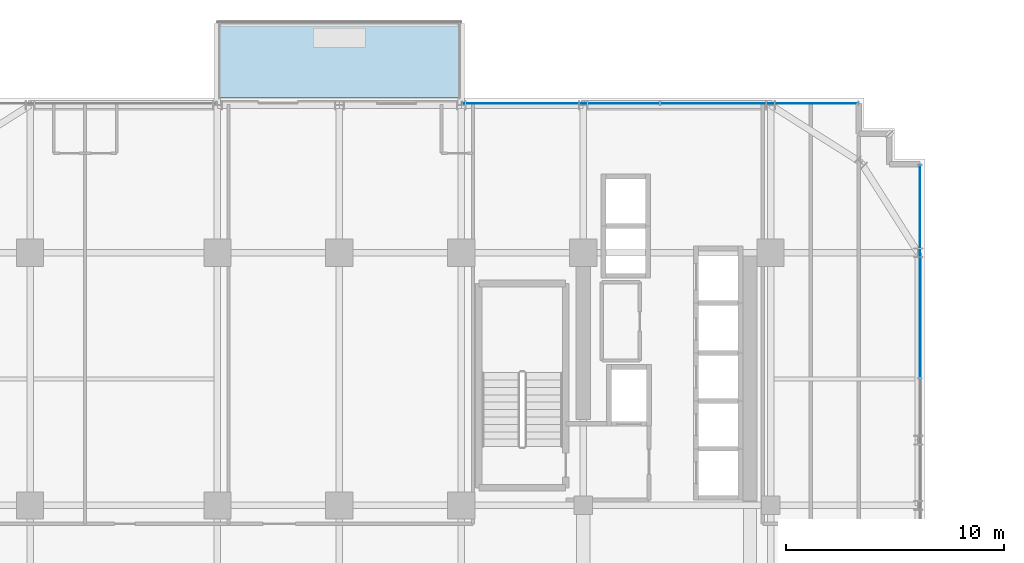
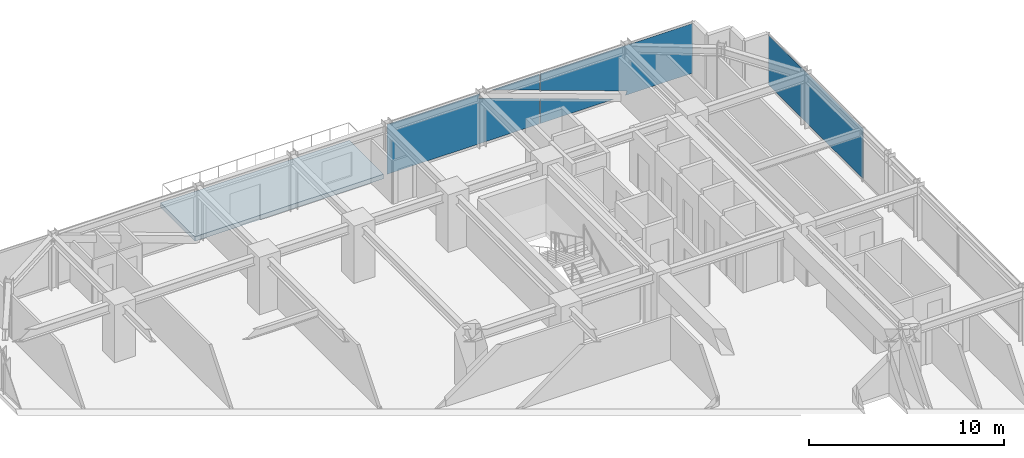
# One storey, part 31 of 41: 3 plates, 1 slab, 2 elements without a shape of their own.
"""IFC4 building model written with IfcOpenShell, lengths in metres."""

from ifc_helpers import new_model, si_unit, direction, frame, origin, origin_2d, place, context, subcontext, project, spatial, polyline, rectangle, outline, extrude, source, transform, mapped, material, layer, layer_set, type_object, element, aggregate, save


model = new_model("IFC4")

# Units and contexts
model_context = context("Model", 3, precision=1e-05, world=origin(), true_north=direction((0.0, 1.0)))
body_context = subcontext(model_context, "Body", "Model", "MODEL_VIEW")
ifc_project = project(units=[si_unit("LENGTHUNIT", "METRE"), si_unit("AREAUNIT", "SQUARE_METRE"), si_unit("VOLUMEUNIT", "CUBIC_METRE"), si_unit("PLANEANGLEUNIT", "RADIAN"), si_unit("MASSUNIT", "GRAM", prefix="KILO")], contexts=[model_context])

# Site, building, storey
site_placement = place(None, origin())
site = spatial("IfcSite", under=ifc_project, at=site_placement, CompositionType="ELEMENT")
building_placement = place(site_placement, origin())
building = spatial("IfcBuilding", under=site, at=building_placement, Name="Nahalor Promenade Grand Hotel", CompositionType="ELEMENT")
storey_placement = place(building_placement, frame((0.0, 0.0, 113.85009765625)))
storey = spatial("IfcBuildingStorey", under=building, at=storey_placement, Name="L28", CompositionType="ELEMENT", Elevation=113.85009765625)

# Curtain wall, plates
ifc_material_1 = material(Name="Anodised Bronze Aluminium EN AW-6063 T6", Category="aluminium")
curtain_wall_type = type_object("IfcCurtainWallType", Name="CW2 Typical Hotel Flush Bronze Unitised Curtain Wall", PredefinedType="USERDEFINED", material=ifc_material_1)
curtain_wall_1_placement = place(storey_placement, origin())
curtain_wall_1 = element("IfcCurtainWall", 1, at=curtain_wall_1_placement, inside=storey, type_object=curtain_wall_type, Name="L28 Curtain Wall CW-L28-N-3", ObjectType="UNITISED_CURTAIN_WALL", PredefinedType="USERDEFINED")
ifc_material_2 = material(Name="Low-E Laminated Solar Glass", Category="glass")
ifc_layer_1 = layer(ifc_material_2, 0.028076171875)
ifc_layer_set_1 = layer_set([ifc_layer_1], Name="Low-E Laminated Solar Glass")
plate_type = type_object("IfcPlateType", Name="CWP2 Bronze Low-E Vision IGU 28mm", PredefinedType="CURTAIN_PANEL", material=ifc_layer_set_1)
plate_1_placement = place(storey_placement, frame((7.38134765625, 23.860107421875, 0.1298828125), z_axis=(0.0, 0.0, 1.0), x_axis=(1.0, 0.0, 0.0)))
plate_1 = element("IfcPlate", 2, at=plate_1_placement, type_object=plate_type, Name="CW-L28-N-3 Glazing Panel 0-0", PredefinedType="CURTAIN_PANEL", context=body_context, shape_type="SweptSolid", body=[
    extrude(outline(polyline([(-4.516357421875, 0.0), (4.516357421875, 0.0), (4.516357421875, 1.581787109375), (0.910888671875, 2.873046875), (0.999267578125, 3.1201171875), (-4.516357421875, 3.1201171875), (-4.516357421875, 0.0)])), frame((0.0, 0.01416015625, 0.0), z_axis=(0.0, -1.0, 0.0), x_axis=(1.0, 0.0, 0.0)), (0.0, 0.0, 1.0), 0.028076171875),
    extrude(outline(polyline([(4.516357421875, 2.113037109375), (4.516357421875, 3.1201171875), (1.704345703125, 3.1201171875), (4.516357421875, 2.113037109375)])), frame((0.0, 0.01416015625, 0.0), z_axis=(0.0, -1.0, 0.0), x_axis=(1.0, 0.0, 0.0)), (0.0, 0.0, 1.0), 0.028076171875),
])
plate_2_placement = place(storey_placement, frame((16.478759765625, 23.860107421875, 0.1298828125), z_axis=(0.0, 0.0, 1.0), x_axis=(1.0, 0.0, 0.0)))
plate_2 = element("IfcPlate", 3, at=plate_2_placement, type_object=plate_type, Name="CW-L28-N-3 Glazing Panel 1-0", PredefinedType="CURTAIN_PANEL", context=body_context, shape_type="SweptSolid", body=[
    extrude(outline(polyline([(4.516357421875, 3.1201171875), (-4.516357421875, 3.1201171875), (-4.516357421875, 2.089599609375), (0.629150390625, 0.246826171875), (0.54052734375, 0.0), (4.516357421875, 0.0), (4.516357421875, 3.1201171875)])), frame((0.0, 0.01416015625, 0.0), z_axis=(0.0, -1.0, 0.0), x_axis=(1.0, 0.0, 0.0)), (0.0, 0.0, 1.0), 0.028076171875),
    extrude(outline(polyline([(-4.516357421875, 1.55859375), (-4.516357421875, 0.0), (-0.164306640625, 0.0), (-4.516357421875, 1.55859375)])), frame((0.0, 0.01416015625, 0.0), z_axis=(0.0, -1.0, 0.0), x_axis=(1.0, 0.0, 0.0)), (0.0, 0.0, 1.0), 0.028076171875),
])
aggregate(curtain_wall_1, [plate_1, plate_2])

# Slab
ifc_material_3 = material(Name="Concrete B-50 (C40/50)", Category="concrete")
ifc_layer_2 = layer(ifc_material_3, 0.280029296875)
ifc_layer_set_2 = layer_set([ifc_layer_2], Name="Concrete B-50 (C40/50)")
slab_type = type_object("IfcSlabType", Name="Slab-Balcony-280", PredefinedType="FLOOR", material=ifc_layer_set_2)
slab_placement = place(storey_placement, frame((0.0, 0.0, -0.280029296875)))
element("IfcSlab", 4, at=slab_placement, inside=storey, type_object=slab_type, Name="L28 Cantilevered Planted Balcony 1", PredefinedType="FLOOR", context=body_context, shape_type="SweptSolid", body=[
    extrude(outline(polyline([(-8.39990234375, 24.10009765625), (2.800048828125, 24.10009765625), (2.800048828125, 27.6201171875), (-8.39990234375, 27.6201171875), (-8.39990234375, 24.10009765625)])), origin(), (0.0, 0.0, 1.0), 0.280029296875),
])

# Curtain wall, plate
curtain_wall_2_placement = place(storey_placement, origin())
curtain_wall_2 = element("IfcCurtainWall", 5, at=curtain_wall_2_placement, inside=storey, type_object=curtain_wall_type, Name="L28 Curtain Wall CW-L28-E-3", ObjectType="UNITISED_CURTAIN_WALL", PredefinedType="USERDEFINED")
shared_shape = source(origin(), body_context, "Body", "SweptSolid", [
    extrude(rectangle(XDim=9.722412109375, YDim=0.028076171875, at=origin_2d()), origin(), (0.0, 0.0, 1.0), 3.1201171875),
])
plate_3_placement = place(storey_placement, frame((23.860107421875, 16.1337890625, 0.1298828125), z_axis=(0.0, 0.0, 1.0), x_axis=(0.0, 1.0, 0.0)))
plate_3 = element("IfcPlate", 6, at=plate_3_placement, type_object=plate_type, Name="CW-L28-E-3 Glazing Panel 2-0", PredefinedType="CURTAIN_PANEL", context=body_context, shape_type="MappedRepresentation", body=[
    mapped(shared_shape, transform((0.0, 0.0, 0.0), scale=1.0)),
])
aggregate(curtain_wall_2, [plate_3])

save(model, "model.ifc")
